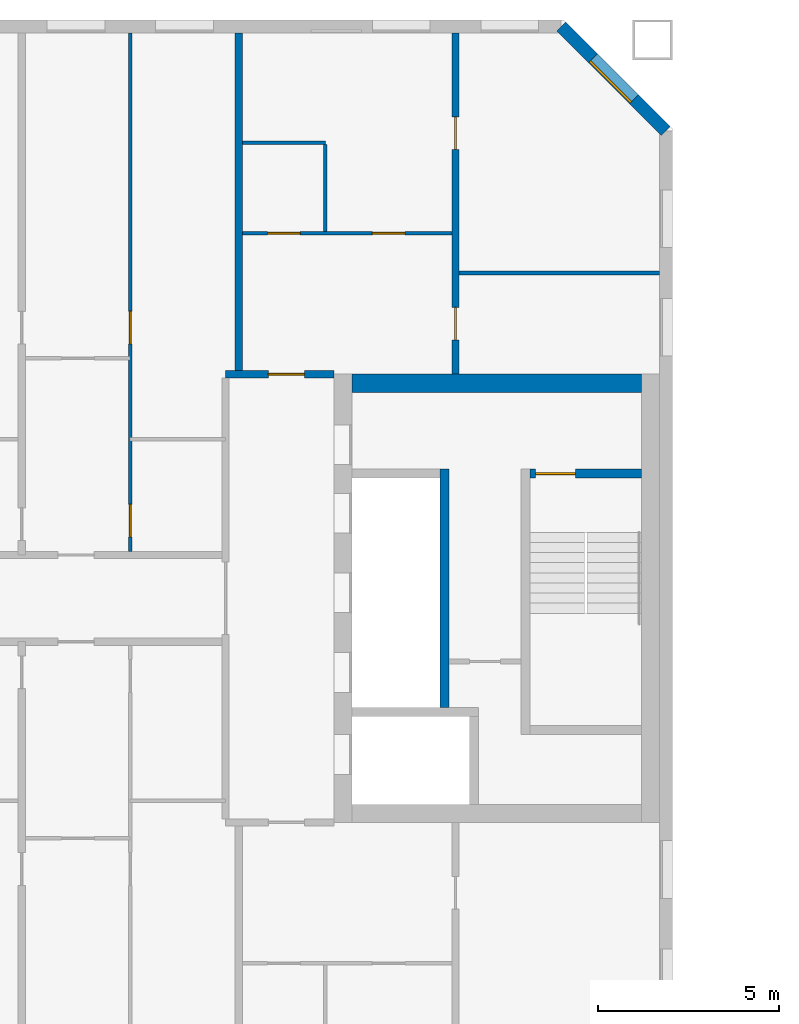
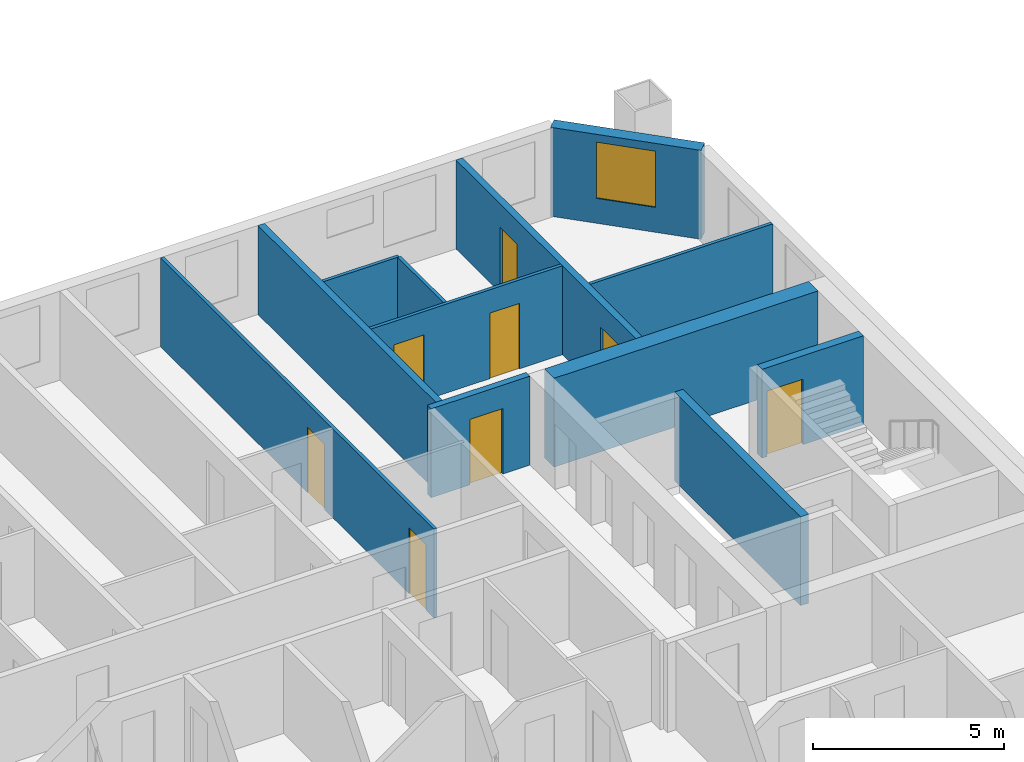
# One storey, part 7 of 15: 12 walls, 8 doors, 1 window, 9 openings.
"""IFC4 building model written with IfcOpenShell, lengths in metres."""

import ifcopenshell
import ifcopenshell.guid

model = None  # the IFC model being written
_history = None  # IfcOwnerHistory: only IFC2X3 demands one
_inside = {}  # id of a spatial element -> (the spatial element, [elements in it])
_under = {}  # id of a project, library or spatial element -> (it, [spatial elements below it])
_declared = {}  # id of a project -> (the project, [libraries it declares])
_typed = {}  # id of a type object -> (the type object, [elements of that type])
_made_of = {}  # id of a material, layer set ... -> (it, [elements and type objects made of it])


def new_model(schema):
    """Start an empty IFC model of exactly this schema.

    Asked for "IFC4X3", IfcOpenShell would pick the latest addendum, in which some entities
    have other attributes; the version numbers below select the first issue.
    IFC2X3 requires an IfcOwnerHistory on every rooted entity: one is made here for all.
    """
    global model, _history
    if schema == "IFC4X3":
        model = ifcopenshell.file(schema_version=(4, 3, 0, 0))
    else:
        model = ifcopenshell.file(schema=schema)
    _inside.clear()
    _under.clear()
    _declared.clear()
    _typed.clear()
    _made_of.clear()
    _history = None
    if model.schema == "IFC2X3":
        org = make("IfcOrganization", Name="unknown")
        user = make(
            "IfcPersonAndOrganization",
            ThePerson=make("IfcPerson", FamilyName="unknown"),
            TheOrganization=org,
        )
        app = make(
            "IfcApplication",
            ApplicationDeveloper=org,
            Version="unknown",
            ApplicationFullName="unknown",
            ApplicationIdentifier="unknown",
        )
        _history = make(
            "IfcOwnerHistory",
            OwningUser=user,
            OwningApplication=app,
            ChangeAction="ADDED",
            CreationDate=0,
        )
    return model


def make(cls, **values):
    """One entity of the class cls with the attributes given. An attribute that is None is left unset."""
    return model.create_entity(
        cls, **{name: value for name, value in values.items() if value is not None}
    )


def rooted(cls, **values):
    """An entity with a GlobalId (a new one), such as an element, a storey or a relation."""
    return make(cls, GlobalId=ifcopenshell.guid.new(), OwnerHistory=_history, **values)


def si_unit(unit_type, name, prefix=None):
    """IfcSIUnit, for example si_unit("LENGTHUNIT", "METRE", prefix="MILLI")."""
    return make("IfcSIUnit", UnitType=unit_type, Prefix=prefix, Name=name)


def assignment(units):
    """IfcUnitAssignment: the units of a project."""
    return None if units is None else make("IfcUnitAssignment", Units=units)


def point(xyz):
    """IfcCartesianPoint."""
    return None if xyz is None else make("IfcCartesianPoint", Coordinates=xyz)


def direction(xyz):
    """IfcDirection."""
    return None if xyz is None else make("IfcDirection", DirectionRatios=xyz)


def frame(location, z_axis=None, x_axis=None):
    """IfcAxis2Placement3D, a coordinate frame: its origin and axes. An axis left out is left unset."""
    return make(
        "IfcAxis2Placement3D",
        Location=point(location),
        Axis=direction(z_axis),
        RefDirection=direction(x_axis),
    )


def frame_2d(location, x_axis=None):
    """IfcAxis2Placement2D, a coordinate frame in the plane: its origin and x axis."""
    return make(
        "IfcAxis2Placement2D", Location=point(location), RefDirection=direction(x_axis)
    )


def origin():
    """The frame at (0, 0, 0) with its axes left unset."""
    return frame((0.0, 0.0, 0.0))


def place(relative_to, where):
    """IfcLocalPlacement: puts the frame where relative to a parent placement (None: the world)."""
    return make(
        "IfcLocalPlacement", PlacementRelTo=relative_to, RelativePlacement=where
    )


def context(
    kind, dimensions, precision=None, world=None, true_north=None, identifier=None
):
    """IfcGeometricRepresentationContext, for example the 3D "Model" context."""
    return make(
        "IfcGeometricRepresentationContext",
        ContextIdentifier=identifier,
        ContextType=kind,
        CoordinateSpaceDimension=dimensions,
        Precision=precision,
        WorldCoordinateSystem=world,
        TrueNorth=true_north,
    )


def subcontext(parent, identifier, kind, view, scale=None):
    """IfcGeometricRepresentationSubContext, for example "Body" below "Model"."""
    return make(
        "IfcGeometricRepresentationSubContext",
        ContextIdentifier=identifier,
        ContextType=kind,
        ParentContext=parent,
        TargetScale=scale,
        TargetView=view,
    )


def project(units=None, contexts=None):
    """IfcProject with its units and contexts."""
    return rooted(
        "IfcProject",
        Name="project",
        RepresentationContexts=contexts,
        UnitsInContext=assignment(units),
    )


def spatial(cls, under=None, at=None, **own):
    """A site, building, storey or space (cls), placed at a placement, below another one or the project."""
    s = rooted(cls, ObjectPlacement=at, **own)
    if under is not None:
        _under.setdefault(under.id(), (under, []))[1].append(s)
    return s


def profile(cls, at=None, kind="AREA", **sizes):
    """A parametric profile (cls). Its sizes go by their IFC names, for example OverallWidth=200.0."""
    return make(cls, ProfileType=kind, Position=at, **sizes)


def rectangle(**sizes):
    """IfcRectangleProfileDef."""
    return profile("IfcRectangleProfileDef", **sizes)


def extrude(swept, where, along, depth):
    """IfcExtrudedAreaSolid: the profile swept, set in the frame where, extruded along a direction by depth."""
    return make(
        "IfcExtrudedAreaSolid",
        SweptArea=swept,
        Position=where,
        ExtrudedDirection=direction(along),
        Depth=depth,
    )


def shape(context_of_items, identifier, shape_type, items):
    """IfcShapeRepresentation: the items that make up one representation, for example the "Body"."""
    return make(
        "IfcShapeRepresentation",
        ContextOfItems=context_of_items,
        RepresentationIdentifier=identifier,
        RepresentationType=shape_type,
        Items=items,
    )


def material(Name=None, Category=None):
    """IfcMaterial."""
    return make("IfcMaterial", Name=Name, Category=Category)


def layer(
    of_material, thickness, ventilated=None, Name=None, Category=None, Priority=None
):
    """IfcMaterialLayer: one layer of a wall or slab, of a material (None: an air gap)."""
    return make(
        "IfcMaterialLayer",
        Material=of_material,
        LayerThickness=thickness,
        IsVentilated=ventilated,
        Name=Name,
        Category=Category,
        Priority=Priority,
    )


def layer_set(layers, Name=None):
    """IfcMaterialLayerSet."""
    return make("IfcMaterialLayerSet", MaterialLayers=layers, LayerSetName=Name)


def made_of(thing, what):
    """Note that an element or type object is made of a material, layer set ...; save() writes the relation."""
    if what is not None:
        _made_of.setdefault(what.id(), (what, []))[1].append(thing)
    return thing


def type_object(cls, material=None, **own):
    """A type object (cls), such as IfcWallType, which elements share."""
    return made_of(rooted(cls, **own), material)


def element(
    cls,
    number,
    at=None,
    inside=None,
    cuts=None,
    type_object=None,
    material=None,
    context=None,
    identifier="Body",
    shape_type=None,
    held_by="IfcProductDefinitionShape",
    body=None,
    shapes=None,
    **own,
):
    """One element of the class cls, such as IfcWall. Its Tag is "e" and its number.

    at: its placement. inside: the storey or other place that contains it. cuts: it is an
    opening in that element (IfcRelVoidsElement). A single representation is given by context,
    identifier, shape_type and body (its items); several are given by shapes. held_by: the class
    of the entity that holds the representations. save() writes the other relations.
    """
    e = rooted(cls, Tag="e%d" % number, ObjectPlacement=at, **own)
    if body is not None:
        shapes = [shape(context, identifier, shape_type, body)]
    if shapes is not None:
        e.Representation = make(held_by, Representations=shapes)
    if inside is not None:
        _inside.setdefault(inside.id(), (inside, []))[1].append(e)
    if cuts is not None:
        rooted(
            "IfcRelVoidsElement", RelatingBuildingElement=cuts, RelatedOpeningElement=e
        )
    if type_object is not None:
        _typed.setdefault(type_object.id(), (type_object, []))[1].append(e)
    return made_of(e, material)


def fill(opening, filler):
    """IfcRelFillsElement: the door or window that sits in an opening."""
    return rooted(
        "IfcRelFillsElement",
        RelatingOpeningElement=opening,
        RelatedBuildingElement=filler,
    )


def aggregate(whole, parts):
    """IfcRelAggregates: a whole, such as a stair, and the parts it consists of."""
    return rooted("IfcRelAggregates", RelatingObject=whole, RelatedObjects=parts)


def save(model, path):
    """Write the relations noted so far, then the file.

    IfcRelAggregates (storeys below a building ...), IfcRelContainedInSpatialStructure (elements
    in a storey), IfcRelDefinesByType, IfcRelAssociatesMaterial and IfcRelDeclares: one each for
    every whole, place, type object, material and project.
    """
    for whole, parts in _under.values():
        aggregate(whole, parts)
    for where, things in _inside.values():
        rooted(
            "IfcRelContainedInSpatialStructure",
            RelatedElements=things,
            RelatingStructure=where,
        )
    for kind, things in _typed.values():
        rooted("IfcRelDefinesByType", RelatedObjects=things, RelatingType=kind)
    for what, things in _made_of.values():
        rooted("IfcRelAssociatesMaterial", RelatedObjects=things, RelatingMaterial=what)
    for by, libraries in _declared.values():
        rooted("IfcRelDeclares", RelatingContext=by, RelatedDefinitions=libraries)
    model.write(path)


model = new_model("IFC4")

# Units and contexts
model_context = context("Model", 3, precision=1e-05, world=origin(), true_north=direction((0.0, 1.0)))
body_context = subcontext(model_context, "Body", "Model", "MODEL_VIEW")
ifc_project = project(units=[si_unit("LENGTHUNIT", "METRE"), si_unit("AREAUNIT", "SQUARE_METRE"), si_unit("VOLUMEUNIT", "CUBIC_METRE"), si_unit("PLANEANGLEUNIT", "RADIAN"), si_unit("MASSUNIT", "GRAM", prefix="KILO")], contexts=[model_context])

# Site, building, storey
site_placement = place(None, origin())
site = spatial("IfcSite", under=ifc_project, at=site_placement, CompositionType="ELEMENT")
building_placement = place(site_placement, origin())
building = spatial("IfcBuilding", under=site, at=building_placement, Name="Tuart Gate Housing", CompositionType="ELEMENT")
storey_placement = place(building_placement, frame((0.0, 0.0, 154.699951171875)))
storey = spatial("IfcBuildingStorey", under=building, at=storey_placement, Name="L43", CompositionType="ELEMENT", Elevation=154.699951171875)

# Wall, opening, window
ifc_material_1 = material(Name="Brick", Category="masonry")
ifc_layer_1 = layer(ifc_material_1, 0.360107421875)
ifc_layer_set_1 = layer_set([ifc_layer_1], Name="Brick pier and spandrel wall 360")
wall_type_1 = type_object("IfcWallType", Name="Brick pier and spandrel wall 360", PredefinedType="STANDARD", material=ifc_layer_set_1)
wall_1_placement = place(storey_placement, frame((75.820068359375, 82.92529296875, 0.0), z_axis=(0.0, 0.0, 1.0), x_axis=(-0.707106781187, 0.707106781187, 0.0)))
wall_1 = element("IfcWall", 1, at=wall_1_placement, inside=storey, type_object=wall_type_1, Name="External wall A-NE L43", PredefinedType="STANDARD", context=body_context, shape_type="SweptSolid", body=[
    extrude(rectangle(XDim=4.09375, YDim=0.360107421875, at=frame_2d((2.046875, 0.0))), origin(), (0.0, 0.0, 1.0), 2.85009765625),
])
opening_1_placement = place(wall_1_placement, frame((1.2470703125, 0.0, 0.800048828125)))
opening_1 = element("IfcOpeningElement", 2, at=opening_1_placement, cuts=wall_1, Name="Opening W1", PredefinedType="OPENING", context=body_context, shape_type="SweptSolid", body=[
    extrude(rectangle(XDim=1.60009765625, YDim=1.800048828125, at=frame_2d((0.800048828125, 0.89990234375))), frame((0.0, 0.18994140625, 0.0), z_axis=(0.0, -1.0, 0.0), x_axis=(1.0, 0.0, 0.0)), (0.0, 0.0, 1.0), 0.380126953125),
])
ifc_material_2 = material(Name="Aluminium frame with clear glass", Category="aluminium")
window_type = type_object("IfcWindowType", Name="Punched window 1600 x 1800", PartitioningType="SINGLE_PANEL", PredefinedType="WINDOW", material=ifc_material_2)
window_placement = place(opening_1_placement, origin())
window = element("IfcWindow", 3, at=window_placement, inside=storey, type_object=window_type, Name="Window W1", OverallHeight=1.800048828125, OverallWidth=1.60009765625, PartitioningType="SINGLE_PANEL", PredefinedType="WINDOW", context=body_context, shape_type="SweptSolid", body=[
    extrude(rectangle(XDim=1.60009765625, YDim=1.800048828125, at=frame_2d((0.800048828125, 0.89990234375))), frame((0.0, 0.150146484375, 0.0), z_axis=(0.0, -1.0, 0.0), x_axis=(1.0, 0.0, 0.0)), (0.0, 0.0, 1.0), 0.06005859375),
])
fill(opening_1, window)

# Wall, opening, door
ifc_material_3 = material(Name="Concrete C40", Category="concrete")
ifc_layer_2 = layer(ifc_material_3, 0.25)
ifc_layer_set_2 = layer_set([ifc_layer_2], Name="Core wall 250 C40")
wall_type_2 = type_object("IfcWallType", Name="Core wall 250 C40", PredefinedType="SHEAR", material=ifc_layer_set_2)
wall_2_placement = place(storey_placement, frame((72.06494140625, 73.449951171875, 0.0), z_axis=(0.0, 0.0, 1.0), x_axis=(1.0, 0.0, 0.0)))
wall_2 = element("IfcWall", 4, at=wall_2_placement, inside=storey, type_object=wall_type_2, Name="Core wall AG.5", PredefinedType="SHEAR", context=body_context, shape_type="SweptSolid", body=[
    extrude(rectangle(XDim=3.074951171875, YDim=0.25, at=frame_2d((1.53759765625, 0.0))), origin(), (0.0, 0.0, 1.0), 2.85009765625),
])
opening_2_placement = place(wall_2_placement, frame((0.14990234375, 0.0, 0.0)))
opening_2 = element("IfcOpeningElement", 5, at=opening_2_placement, cuts=wall_2, Name="Opening D1538", PredefinedType="OPENING", context=body_context, shape_type="SweptSolid", body=[
    extrude(rectangle(XDim=1.10009765625, YDim=2.10009765625, at=frame_2d((0.550048828125, 1.050048828125))), frame((0.0, 0.135009765625, 0.0), z_axis=(0.0, -1.0, 0.0), x_axis=(1.0, 0.0, 0.0)), (0.0, 0.0, 1.0), 0.27001953125),
])
ifc_material_4 = material(Name="Steel fire door", Category="steel")
door_type_1 = type_object("IfcDoorType", Name="Stair door 1100 x 2100 RH", OperationType="SINGLE_SWING_RIGHT", PredefinedType="DOOR", material=ifc_material_4)
door_1_placement = place(opening_2_placement, frame((1.10009765625, 0.0, 0.0), z_axis=(0.0, 0.0, 1.0), x_axis=(-1.0, 0.0, 0.0)))
door_1 = element("IfcDoor", 6, at=door_1_placement, inside=storey, type_object=door_type_1, Name="Stair door AG.SD", OperationType="SINGLE_SWING_RIGHT", OverallHeight=2.10009765625, OverallWidth=1.10009765625, PredefinedType="DOOR", context=body_context, shape_type="SweptSolid", body=[
    extrude(rectangle(XDim=1.10009765625, YDim=2.10009765625, at=frame_2d((0.550048828125, 1.050048828125))), frame((0.0, 0.025146484375, 0.0), z_axis=(0.0, -1.0, 0.0), x_axis=(1.0, 0.0, 0.0)), (0.0, 0.0, 1.0), 0.050048828125),
])
fill(opening_2, door_1)

# Walls
wall_3_placement = place(storey_placement, frame((69.68994140625, 66.97509765625, 0.0), z_axis=(0.0, 0.0, 1.0), x_axis=(0.0, 1.0, 0.0)))
element("IfcWall", 7, at=wall_3_placement, inside=storey, type_object=wall_type_2, Name="Core wall AG.6", PredefinedType="SHEAR", context=body_context, shape_type="SweptSolid", body=[
    extrude(rectangle(XDim=6.599853515625, YDim=0.25, at=frame_2d((3.2998046875, 0.0))), origin(), (0.0, 0.0, 1.0), 2.85009765625),
])
ifc_material_5 = material(Name="Concrete C40", Category="concrete")
ifc_layer_3 = layer(ifc_material_5, 0.5)
ifc_layer_set_3 = layer_set([ifc_layer_3], Name="Core wall 500 C40")
wall_type_3 = type_object("IfcWallType", Name="Core wall 500 C40", PredefinedType="SHEAR", material=ifc_layer_set_3)
wall_4_placement = place(storey_placement, frame((67.139892578125, 75.949951171875, 0.0), z_axis=(0.0, 0.0, 1.0), x_axis=(1.0, 0.0, 0.0)))
element("IfcWall", 8, at=wall_4_placement, inside=storey, type_object=wall_type_3, Name="Core wall AG north", PredefinedType="SHEAR", context=body_context, shape_type="SweptSolid", body=[
    extrude(rectangle(XDim=8.0, YDim=0.5, at=frame_2d((4.0, 0.0))), origin(), (0.0, 0.0, 1.0), 2.85009765625),
])

# Wall, opening, door
ifc_material_6 = material(Name="Concrete masonry 15 MPa", Category="masonry")
ifc_layer_4 = layer(ifc_material_6, 0.199951171875)
ifc_layer_set_4 = layer_set([ifc_layer_4], Name="Enclosure wall masonry 200")
wall_type_4 = type_object("IfcWallType", Name="Enclosure wall masonry 200", PredefinedType="PARTITIONING", material=ifc_layer_set_4)
wall_5_placement = place(storey_placement, frame((63.639892578125, 76.199951171875, 0.0), z_axis=(0.0, 0.0, 1.0), x_axis=(1.0, 0.0, 0.0)))
wall_5 = element("IfcWall", 9, at=wall_5_placement, inside=storey, type_object=wall_type_4, Name="Enclosure wall masonry 200", PredefinedType="PARTITIONING", context=body_context, shape_type="SweptSolid", body=[
    extrude(rectangle(XDim=3.0, YDim=0.199951171875, at=frame_2d((1.5, 0.0))), origin(), (0.0, 0.0, 1.0), 2.85009765625),
])
opening_3_placement = place(wall_5_placement, frame((1.179931640625, 0.0, 0.0)))
opening_3 = element("IfcOpeningElement", 10, at=opening_3_placement, cuts=wall_5, Name="Opening D1536", PredefinedType="OPENING", context=body_context, shape_type="SweptSolid", body=[
    extrude(rectangle(XDim=1.0, YDim=2.10009765625, at=frame_2d((0.5, 1.050048828125))), frame((0.0, 0.10986328125, 0.0), z_axis=(0.0, -1.0, 0.0), x_axis=(1.0, 0.0, 0.0)), (0.0, 0.0, 1.0), 0.219970703125),
])
ifc_material_7 = material(Name="Timber door leaf in steel frame", Category="steel")
door_type_2 = type_object("IfcDoorType", Name="Flat entrance door 1000", OperationType="SINGLE_SWING_LEFT", PredefinedType="DOOR", material=ifc_material_7)
door_2_placement = place(opening_3_placement, origin())
door_2 = element("IfcDoor", 11, at=door_2_placement, inside=storey, type_object=door_type_2, Name="Flat entrance door", OperationType="SINGLE_SWING_LEFT", OverallHeight=2.10009765625, OverallWidth=1.0, PredefinedType="DOOR", context=body_context, shape_type="SweptSolid", body=[
    extrude(rectangle(XDim=1.0, YDim=2.10009765625, at=frame_2d((0.5, 1.050048828125))), frame((0.0, 0.02490234375, 0.0), z_axis=(0.0, -1.0, 0.0), x_axis=(1.0, 0.0, 0.0)), (0.0, 0.0, 1.0), 0.050048828125),
])
fill(opening_3, door_2)

# Wall
ifc_material_8 = material(Name="Gypsum board on steel studs", Category="steel")
ifc_layer_5 = layer(ifc_material_8, 0.10009765625)
ifc_layer_set_5 = layer_set([ifc_layer_5], Name="Partition 100")
wall_type_5 = type_object("IfcWallType", Name="Partition 100", PredefinedType="PARTITIONING", material=ifc_layer_set_5)
wall_6_placement = place(storey_placement, frame((70.10009765625, 79.0, 0.0), z_axis=(0.0, 0.0, 1.0), x_axis=(1.0, 0.0, 0.0)))
element("IfcWall", 12, at=wall_6_placement, inside=storey, type_object=wall_type_5, Name="Partition 100", PredefinedType="PARTITIONING", context=body_context, shape_type="SweptSolid", body=[
    extrude(rectangle(XDim=5.539794921875, YDim=0.10009765625, at=frame_2d((2.77001953125, 0.0))), origin(), (0.0, 0.0, 1.0), 2.85009765625),
])

# Wall, openings, doors
wall_7_placement = place(storey_placement, frame((64.10009765625, 80.10009765625, 0.0), z_axis=(0.0, 0.0, 1.0), x_axis=(1.0, 0.0, 0.0)))
wall_7 = element("IfcWall", 13, at=wall_7_placement, inside=storey, type_object=wall_type_5, Name="Partition 100", PredefinedType="PARTITIONING", context=body_context, shape_type="SweptSolid", body=[
    extrude(rectangle(XDim=5.7998046875, YDim=0.10009765625, at=frame_2d((2.89990234375, 0.0))), origin(), (0.0, 0.0, 1.0), 2.85009765625),
])
opening_4_placement = place(wall_7_placement, frame((3.60009765625, 0.0, 0.0)))
opening_4 = element("IfcOpeningElement", 14, at=opening_4_placement, cuts=wall_7, Name="Opening D1522", PredefinedType="OPENING", context=body_context, shape_type="SweptSolid", body=[
    extrude(rectangle(XDim=0.89990234375, YDim=2.10009765625, at=frame_2d((0.449951171875, 1.050048828125))), frame((0.0, 0.06005859375, 0.0), z_axis=(0.0, -1.0, 0.0), x_axis=(1.0, 0.0, 0.0)), (0.0, 0.0, 1.0), 0.1201171875),
])
opening_5_placement = place(wall_7_placement, frame((0.699951171875, 0.0, 0.0)))
opening_5 = element("IfcOpeningElement", 15, at=opening_5_placement, cuts=wall_7, Name="Opening D1521", PredefinedType="OPENING", context=body_context, shape_type="SweptSolid", body=[
    extrude(rectangle(XDim=0.89990234375, YDim=2.10009765625, at=frame_2d((0.449951171875, 1.050048828125))), frame((0.0, 0.06005859375, 0.0), z_axis=(0.0, -1.0, 0.0), x_axis=(1.0, 0.0, 0.0)), (0.0, 0.0, 1.0), 0.1201171875),
])
ifc_material_9 = material(Name="Timber door leaf in steel frame", Category="steel")
door_type_3 = type_object("IfcDoorType", Name="Bathroom door 900 RH", OperationType="SINGLE_SWING_RIGHT", PredefinedType="DOOR", material=ifc_material_9)
door_3_placement = place(opening_5_placement, origin())
door_3 = element("IfcDoor", 16, at=door_3_placement, inside=storey, type_object=door_type_3, Name="Bathroom door", OperationType="SINGLE_SWING_RIGHT", OverallHeight=2.10009765625, OverallWidth=0.89990234375, PredefinedType="DOOR", context=body_context, shape_type="SweptSolid", body=[
    extrude(rectangle(XDim=0.89990234375, YDim=2.10009765625, at=frame_2d((0.449951171875, 1.050048828125))), frame((0.0, 0.02490234375, 0.0), z_axis=(0.0, -1.0, 0.0), x_axis=(1.0, 0.0, 0.0)), (0.0, 0.0, 1.0), 0.050048828125),
])
fill(opening_5, door_3)
ifc_material_10 = material(Name="Timber door leaf in steel frame", Category="steel")
door_type_4 = type_object("IfcDoorType", Name="Internal door 900", OperationType="SINGLE_SWING_LEFT", PredefinedType="DOOR", material=ifc_material_10)
door_4_placement = place(opening_4_placement, frame((0.89990234375, 0.0, 0.0), z_axis=(0.0, 0.0, 1.0), x_axis=(-1.0, 0.0, 0.0)))
door_4 = element("IfcDoor", 17, at=door_4_placement, inside=storey, type_object=door_type_4, Name="Internal door", OperationType="SINGLE_SWING_LEFT", OverallHeight=2.10009765625, OverallWidth=0.89990234375, PredefinedType="DOOR", context=body_context, shape_type="SweptSolid", body=[
    extrude(rectangle(XDim=0.89990234375, YDim=2.10009765625, at=frame_2d((0.449951171875, 1.050048828125))), frame((0.0, 0.025146484375, 0.0), z_axis=(0.0, -1.0, 0.0), x_axis=(1.0, 0.0, 0.0)), (0.0, 0.0, 1.0), 0.050048828125),
])
fill(opening_4, door_4)

# Wall
wall_8_placement = place(storey_placement, frame((64.10009765625, 82.60009765625, 0.0), z_axis=(0.0, 0.0, 1.0), x_axis=(1.0, 0.0, 0.0)))
element("IfcWall", 18, at=wall_8_placement, inside=storey, type_object=wall_type_5, Name="Partition 100", PredefinedType="PARTITIONING", context=body_context, shape_type="SweptSolid", body=[
    extrude(rectangle(XDim=2.2998046875, YDim=0.10009765625, at=frame_2d((1.14990234375, 0.0))), origin(), (0.0, 0.0, 1.0), 2.85009765625),
])

# Wall, openings, doors
wall_9_placement = place(storey_placement, frame((61.0, 71.300048828125, 0.0), z_axis=(0.0, 0.0, 1.0), x_axis=(0.0, 1.0, 0.0)))
wall_9 = element("IfcWall", 19, at=wall_9_placement, inside=storey, type_object=wall_type_5, Name="Partition 100", PredefinedType="PARTITIONING", context=body_context, shape_type="SweptSolid", body=[
    extrude(rectangle(XDim=14.33984375, YDim=0.10009765625, at=frame_2d((7.169921875, 0.0))), origin(), (0.0, 0.0, 1.0), 2.85009765625),
])
opening_6_placement = place(wall_9_placement, frame((5.739990234375, 0.0, 0.0)))
opening_6 = element("IfcOpeningElement", 20, at=opening_6_placement, cuts=wall_9, Name="Opening D1528", PredefinedType="OPENING", context=body_context, shape_type="SweptSolid", body=[
    extrude(rectangle(XDim=0.89990234375, YDim=2.10009765625, at=frame_2d((0.449951171875, 1.050048828125))), frame((0.0, 0.06005859375, 0.0), z_axis=(0.0, -1.0, 0.0), x_axis=(1.0, 0.0, 0.0)), (0.0, 0.0, 1.0), 0.1201171875),
])
opening_7_placement = place(wall_9_placement, frame((0.39990234375, 0.0, 0.0)))
opening_7 = element("IfcOpeningElement", 21, at=opening_7_placement, cuts=wall_9, Name="Opening D1527", PredefinedType="OPENING", context=body_context, shape_type="SweptSolid", body=[
    extrude(rectangle(XDim=0.89990234375, YDim=2.10009765625, at=frame_2d((0.449951171875, 1.050048828125))), frame((0.0, 0.06005859375, 0.0), z_axis=(0.0, -1.0, 0.0), x_axis=(1.0, 0.0, 0.0)), (0.0, 0.0, 1.0), 0.1201171875),
])
door_5_placement = place(opening_7_placement, frame((0.89990234375, 0.0, 0.0), z_axis=(0.0, 0.0, 1.0), x_axis=(-1.0, 0.0, 0.0)))
door_5 = element("IfcDoor", 22, at=door_5_placement, inside=storey, type_object=door_type_3, Name="Bathroom door", OperationType="SINGLE_SWING_RIGHT", OverallHeight=2.10009765625, OverallWidth=0.89990234375, PredefinedType="DOOR", context=body_context, shape_type="SweptSolid", body=[
    extrude(rectangle(XDim=0.89990234375, YDim=2.10009765625, at=frame_2d((0.449951171875, 1.050048828125))), frame((0.0, 0.025146484375, 0.0), z_axis=(0.0, -1.0, 0.0), x_axis=(1.0, 0.0, 0.0)), (0.0, 0.0, 1.0), 0.050048828125),
])
fill(opening_7, door_5)
ifc_material_11 = material(Name="Timber door leaf in steel frame", Category="steel")
door_type_5 = type_object("IfcDoorType", Name="Internal door 900 RH", OperationType="SINGLE_SWING_RIGHT", PredefinedType="DOOR", material=ifc_material_11)
door_6_placement = place(opening_6_placement, frame((0.89990234375, 0.0, 0.0), z_axis=(0.0, 0.0, 1.0), x_axis=(-1.0, 0.0, 0.0)))
door_6 = element("IfcDoor", 23, at=door_6_placement, inside=storey, type_object=door_type_5, Name="Internal door", OperationType="SINGLE_SWING_RIGHT", OverallHeight=2.10009765625, OverallWidth=0.89990234375, PredefinedType="DOOR", context=body_context, shape_type="SweptSolid", body=[
    extrude(rectangle(XDim=0.89990234375, YDim=2.10009765625, at=frame_2d((0.449951171875, 1.050048828125))), frame((0.0, 0.025146484375, 0.0), z_axis=(0.0, -1.0, 0.0), x_axis=(1.0, 0.0, 0.0)), (0.0, 0.0, 1.0), 0.050048828125),
])
fill(opening_6, door_6)

# Walls
wall_10_placement = place(storey_placement, frame((66.39990234375, 80.14990234375, 0.0), z_axis=(0.0, 0.0, 1.0), x_axis=(0.0, 1.0, 0.0)))
element("IfcWall", 24, at=wall_10_placement, inside=storey, type_object=wall_type_5, Name="Partition 100", PredefinedType="PARTITIONING", context=body_context, shape_type="SweptSolid", body=[
    extrude(rectangle(XDim=2.400146484375, YDim=0.10009765625, at=frame_2d((1.2001953125, 0.0))), origin(), (0.0, 0.0, 1.0), 2.85009765625),
])
ifc_material_12 = material(Name="Concrete C40", Category="concrete")
ifc_layer_6 = layer(ifc_material_12, 0.199951171875)
ifc_layer_set_6 = layer_set([ifc_layer_6], Name="Party wall concrete C40 200")
wall_type_6 = type_object("IfcWallType", Name="Party wall concrete C40 200", PredefinedType="SOLIDWALL", material=ifc_layer_set_6)
wall_11_placement = place(storey_placement, frame((64.0, 76.199951171875, 0.0), z_axis=(0.0, 0.0, 1.0), x_axis=(0.0, 1.0, 0.0)))
element("IfcWall", 25, at=wall_11_placement, inside=storey, type_object=wall_type_6, Name="Party wall concrete C40 200", PredefinedType="SOLIDWALL", context=body_context, shape_type="SweptSolid", body=[
    extrude(rectangle(XDim=9.43994140625, YDim=0.199951171875, at=frame_2d((4.719970703125, 0.0))), origin(), (0.0, 0.0, 1.0), 2.85009765625),
])

# Wall, openings, doors
wall_12_placement = place(storey_placement, frame((70.0, 76.199951171875, 0.0), z_axis=(0.0, 0.0, 1.0), x_axis=(0.0, 1.0, 0.0)))
wall_12 = element("IfcWall", 26, at=wall_12_placement, inside=storey, type_object=wall_type_6, Name="Party wall concrete C40 200", PredefinedType="SOLIDWALL", context=body_context, shape_type="SweptSolid", body=[
    extrude(rectangle(XDim=9.43994140625, YDim=0.199951171875, at=frame_2d((4.719970703125, 0.0))), origin(), (0.0, 0.0, 1.0), 2.85009765625),
])
opening_8_placement = place(wall_12_placement, frame((6.219970703125, 0.0, 0.0)))
opening_8 = element("IfcOpeningElement", 27, at=opening_8_placement, cuts=wall_12, Name="Opening D1518", PredefinedType="OPENING", context=body_context, shape_type="SweptSolid", body=[
    extrude(rectangle(XDim=0.89990234375, YDim=2.10009765625, at=frame_2d((0.449951171875, 1.050048828125))), frame((0.0, 0.10986328125, 0.0), z_axis=(0.0, -1.0, 0.0), x_axis=(1.0, 0.0, 0.0)), (0.0, 0.0, 1.0), 0.219970703125),
])
opening_9_placement = place(wall_12_placement, frame((0.949951171875, 0.0, 0.0)))
opening_9 = element("IfcOpeningElement", 28, at=opening_9_placement, cuts=wall_12, Name="Opening D1519", PredefinedType="OPENING", context=body_context, shape_type="SweptSolid", body=[
    extrude(rectangle(XDim=0.89990234375, YDim=2.10009765625, at=frame_2d((0.449951171875, 1.050048828125))), frame((0.0, 0.10986328125, 0.0), z_axis=(0.0, -1.0, 0.0), x_axis=(1.0, 0.0, 0.0)), (0.0, 0.0, 1.0), 0.219970703125),
])
door_7_placement = place(opening_8_placement, frame((0.89990234375, 0.0, 0.0), z_axis=(0.0, 0.0, 1.0), x_axis=(-1.0, 0.0, 0.0)))
door_7 = element("IfcDoor", 29, at=door_7_placement, inside=storey, type_object=door_type_4, Name="Internal door", OperationType="SINGLE_SWING_LEFT", OverallHeight=2.10009765625, OverallWidth=0.89990234375, PredefinedType="DOOR", context=body_context, shape_type="SweptSolid", body=[
    extrude(rectangle(XDim=0.89990234375, YDim=2.10009765625, at=frame_2d((0.449951171875, 1.050048828125))), frame((0.0, 0.025146484375, 0.0), z_axis=(0.0, -1.0, 0.0), x_axis=(1.0, 0.0, 0.0)), (0.0, 0.0, 1.0), 0.050048828125),
])
fill(opening_8, door_7)
door_8_placement = place(opening_9_placement, frame((0.89990234375, 0.0, 0.0), z_axis=(0.0, 0.0, 1.0), x_axis=(-1.0, 0.0, 0.0)))
door_8 = element("IfcDoor", 30, at=door_8_placement, inside=storey, type_object=door_type_5, Name="Internal door", OperationType="SINGLE_SWING_RIGHT", OverallHeight=2.10009765625, OverallWidth=0.89990234375, PredefinedType="DOOR", context=body_context, shape_type="SweptSolid", body=[
    extrude(rectangle(XDim=0.89990234375, YDim=2.10009765625, at=frame_2d((0.449951171875, 1.050048828125))), frame((0.0, 0.025146484375, 0.0), z_axis=(0.0, -1.0, 0.0), x_axis=(1.0, 0.0, 0.0)), (0.0, 0.0, 1.0), 0.050048828125),
])
fill(opening_9, door_8)

save(model, "model.ifc")
